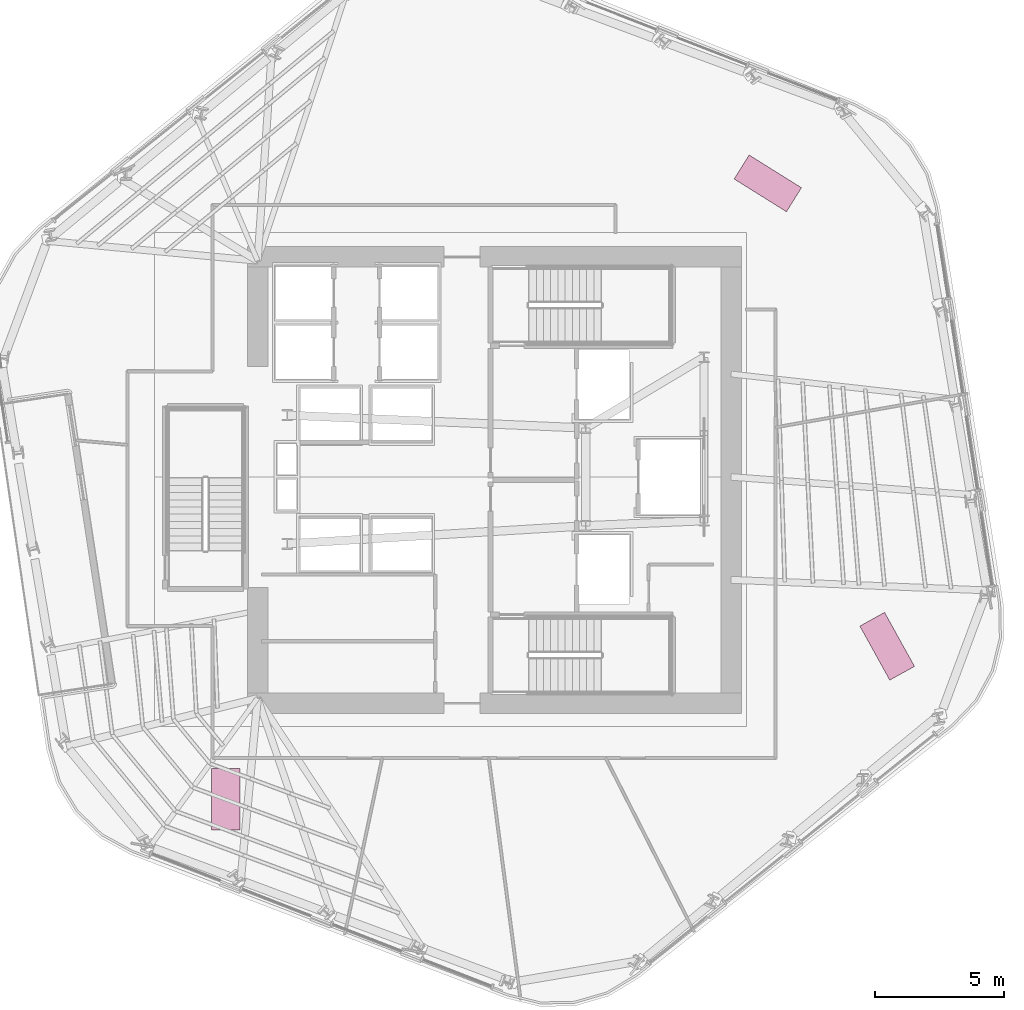
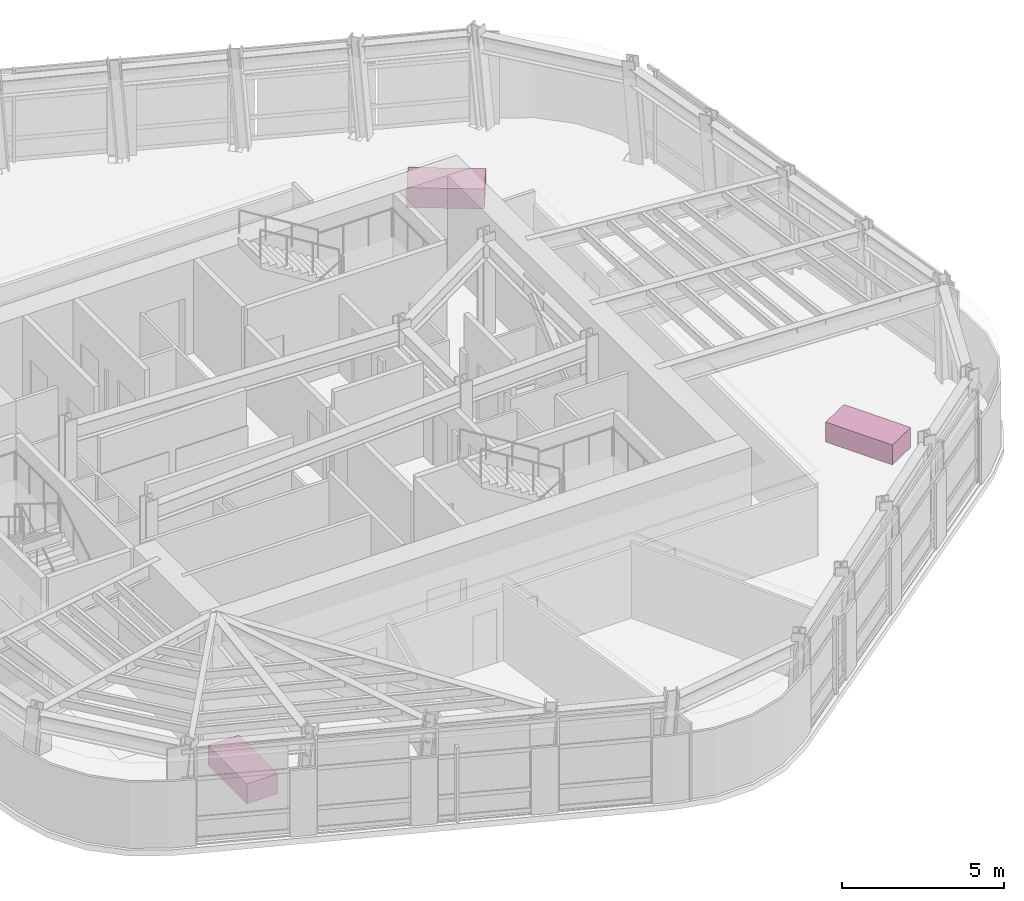
# One storey, part 15 of 15: 3 furniture elements.
"""IFC4 building model written with IfcOpenShell, lengths in metres."""

from ifc_helpers import new_model, si_unit, direction, frame, origin, origin_2d, place, context, subcontext, project, spatial, rectangle, extrude, material, type_object, element, save


model = new_model("IFC4")

# Units and contexts
model_context = context("Model", 3, precision=1e-05, world=origin(), true_north=direction((0.0, 1.0)))
body_context = subcontext(model_context, "Body", "Model", "MODEL_VIEW")
ifc_project = project(units=[si_unit("LENGTHUNIT", "METRE"), si_unit("AREAUNIT", "SQUARE_METRE"), si_unit("VOLUMEUNIT", "CUBIC_METRE"), si_unit("PLANEANGLEUNIT", "RADIAN"), si_unit("MASSUNIT", "GRAM", prefix="KILO")], contexts=[model_context])

# Site, building, storey
site_placement = place(None, origin())
site = spatial("IfcSite", under=ifc_project, at=site_placement, CompositionType="ELEMENT")
building_placement = place(site_placement, origin())
building = spatial("IfcBuilding", under=site, at=building_placement, Name="Valkerne Bourse Tower", CompositionType="ELEMENT")
storey_placement = place(building_placement, frame((0.0, 0.0, 189.39990234375)))
storey = spatial("IfcBuildingStorey", under=building, at=storey_placement, Name="L48", CompositionType="ELEMENT", Elevation=189.39990234375)

# Furniture
ifc_material = material(Name="Architectural White Oak Timber", Category="wood")
furniture_type = type_object("IfcFurnitureType", Name="FURN-DESK-2400", AssemblyPlace="NOTDEFINED", PredefinedType="DESK", material=ifc_material)
for number, where, z_axis, x_axis, name in (
    (1, (36.364013671875, 14.47412109375, 0.045166015625), (0.0, 0.0, 1.0), (0.0, 1.0, 0.0), "L48 Suite Worktable 06"),
    (2, (62.06689453125, 20.4189453125, 0.045166015625), (0.0, 0.0, 1.0), (-0.484809620246, 0.874619707139, 0.0), "L48 Suite Worktable 07"),
    (3, (57.427978515625, 38.407958984375, 0.045166015625), (0.0, 0.0, 1.0), (-0.848048096156, 0.529919264233, 0.0), "L48 Suite Worktable 08"),
):
    element("IfcFurniture", number, at=place(storey_placement, frame(where, z_axis=z_axis, x_axis=x_axis)), inside=storey, type_object=furniture_type, Name=name, PredefinedType="DESK", context=body_context, shape_type="SweptSolid", body=[
        extrude(rectangle(XDim=2.39990234375, YDim=1.10009765625, at=origin_2d()), origin(), (0.0, 0.0, 1.0), 0.75),
    ])

save(model, "model.ifc")
